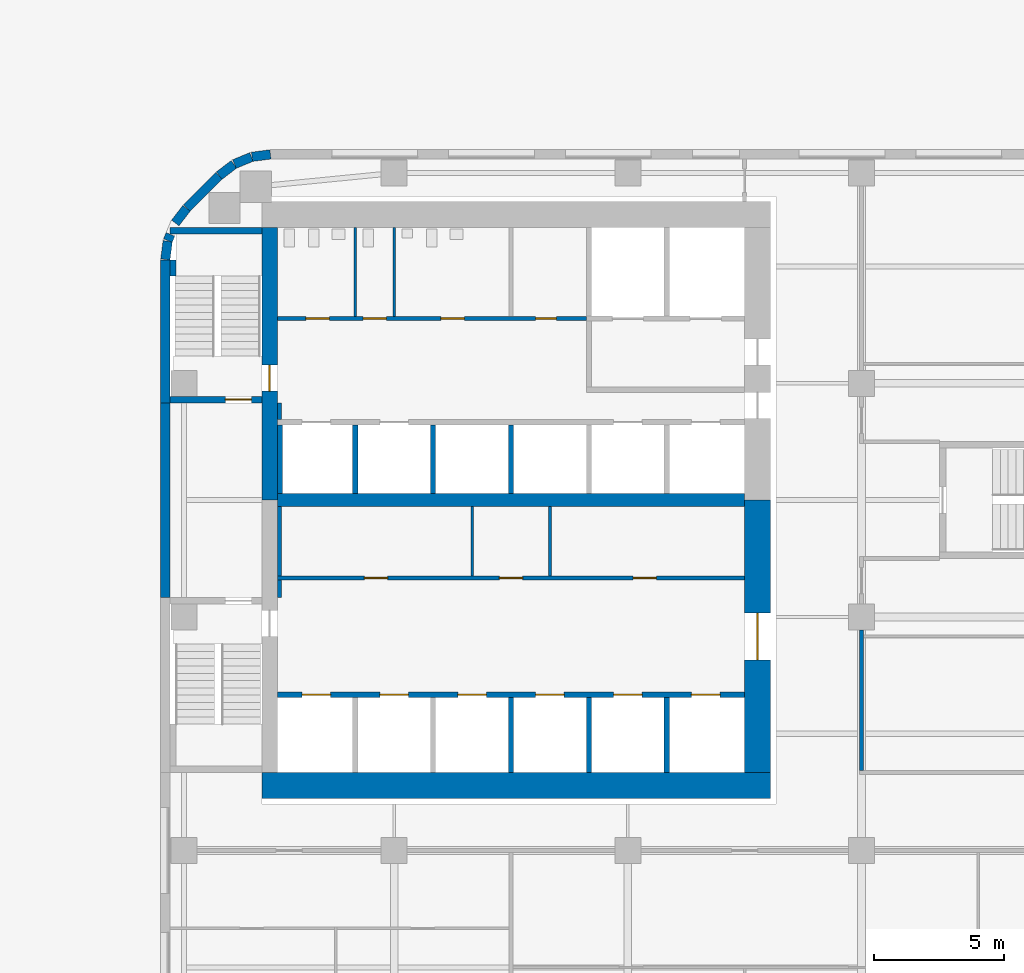
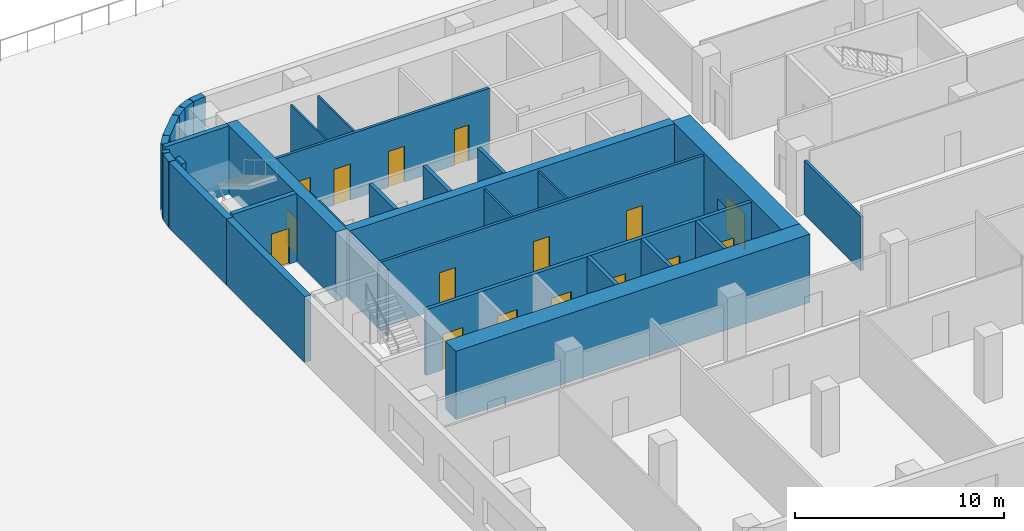
# One storey, part 10 of 18: 34 walls, 16 doors, 16 openings.
"""IFC4 building model written with IfcOpenShell, lengths in metres."""

from ifc_helpers import new_model, si_unit, direction, frame, frame_2d, origin, place, context, subcontext, project, spatial, rectangle, extrude, material, layer, layer_set, type_object, element, fill, save


model = new_model("IFC4")

# Units and contexts
model_context = context("Model", 3, precision=1e-05, world=origin(), true_north=direction((0.0, 1.0)))
body_context = subcontext(model_context, "Body", "Model", "MODEL_VIEW")
ifc_project = project(units=[si_unit("LENGTHUNIT", "METRE"), si_unit("AREAUNIT", "SQUARE_METRE"), si_unit("VOLUMEUNIT", "CUBIC_METRE"), si_unit("PLANEANGLEUNIT", "RADIAN"), si_unit("MASSUNIT", "GRAM", prefix="KILO")], contexts=[model_context])

# Site, building, storey
site_placement = place(None, origin())
site = spatial("IfcSite", under=ifc_project, at=site_placement, CompositionType="ELEMENT")
building_placement = place(site_placement, origin())
building = spatial("IfcBuilding", under=site, at=building_placement, Name="Cinnabar Reach Civic Tower", CompositionType="ELEMENT")
storey_placement = place(building_placement, frame((0.0, 0.0, 26.0)))
storey = spatial("IfcBuildingStorey", under=building, at=storey_placement, Name="L05", CompositionType="ELEMENT", Elevation=26.0)

# Walls
ifc_material_1 = material(Name="Facing brick with insulated backing", Category="masonry")
ifc_layer_1 = layer(ifc_material_1, 0.36)
ifc_layer_set_1 = layer_set([ifc_layer_1], Name="Brick corner wall")
wall_type_1 = type_object("IfcWallType", Name="Brick corner wall", PredefinedType="STANDARD", material=ifc_layer_set_1)
for number, where, z_axis, x_axis, name in (
    (1, (4.2314, 44.817, 0.0), (0.0, 0.0, 1.0), (-0.99144092581, -0.13055608231, 0.0), "Brick corner wall"),
    (2, (3.5027, 44.7181, 0.0), (0.0, 0.0, 1.0), (-0.923871547278, -0.382702709855, 0.0), "Brick corner wall"),
):
    element("IfcWall", number, at=place(storey_placement, frame(where, z_axis=z_axis, x_axis=x_axis)), inside=storey, type_object=wall_type_1, Name=name, PredefinedType="STANDARD", context=body_context, shape_type="SweptSolid", body=[
        extrude(rectangle(XDim=0.7131, YDim=0.36, at=frame_2d((0.3565, 0.0))), origin(), (0.0, 0.0, 1.0), 3.85),
    ])
for number, where, z_axis, x_axis, name in (
    (3, (2.8245, 44.434, 0.0), (0.0, 0.0, 1.0), (-0.793321924995, -0.608802368033, 0.0), "Brick corner wall"),
    (4, (1.0002, 42.7413, 0.0), (0.0, 0.0, 1.0), (-0.608802368033, -0.793321924995, 0.0), "Brick corner wall"),
):
    element("IfcWall", number, at=place(storey_placement, frame(where, z_axis=z_axis, x_axis=x_axis)), inside=storey, type_object=wall_type_1, Name=name, PredefinedType="STANDARD", context=body_context, shape_type="SweptSolid", body=[
        extrude(rectangle(XDim=0.7132, YDim=0.36, at=frame_2d((0.3566, 0.0))), origin(), (0.0, 0.0, 1.0), 3.85),
    ])
wall_1_placement = place(storey_placement, frame((0.3808, 41.736, 0.0), z_axis=(0.0, 0.0, 1.0), x_axis=(-0.382773360986, -0.923842277729, 0.0)))
element("IfcWall", 5, at=wall_1_placement, inside=storey, type_object=wall_type_1, Name="Brick corner wall", PredefinedType="STANDARD", context=body_context, shape_type="SweptSolid", body=[
    extrude(rectangle(XDim=0.2584, YDim=0.36, at=frame_2d((0.1292, 0.0))), origin(), (0.0, 0.0, 1.0), 3.85),
])
wall_2_placement = place(storey_placement, frame((0.2761, 41.4756, 0.0), z_axis=(0.0, 0.0, 1.0), x_axis=(-0.13055608231, -0.99144092581, 0.0)))
element("IfcWall", 6, at=wall_2_placement, inside=storey, type_object=wall_type_1, Name="Brick corner wall", PredefinedType="STANDARD", context=body_context, shape_type="SweptSolid", body=[
    extrude(rectangle(XDim=0.7131, YDim=0.36, at=frame_2d((0.3565, 0.0))), origin(), (0.0, 0.0, 1.0), 3.85),
])
ifc_layer_2 = layer(ifc_material_1, 0.36)
ifc_layer_set_2 = layer_set([ifc_layer_2], Name="Brick pier and spandrel wall")
wall_type_2 = type_object("IfcWallType", Name="Brick pier and spandrel wall", PredefinedType="STANDARD", material=ifc_layer_set_2)
wall_3_placement = place(storey_placement, frame((2.2486, 43.994, 0.0), z_axis=(0.0, 0.0, 1.0), x_axis=(-0.707106781187, -0.707106781187, 0.0)))
element("IfcWall", 7, at=wall_3_placement, inside=storey, type_object=wall_type_2, Name="Brick facade wall", PredefinedType="STANDARD", context=body_context, shape_type="SweptSolid", body=[
    extrude(rectangle(XDim=1.7573, YDim=0.36, at=frame_2d((0.8787, 0.0))), origin(), (0.0, 0.0, 1.0), 3.85),
])
wall_4_placement = place(storey_placement, frame((0.18, 40.7574, 0.0), z_axis=(0.0, 0.0, 1.0), x_axis=(0.0, -1.0, 0.0)))
element("IfcWall", 8, at=wall_4_placement, inside=storey, type_object=wall_type_2, Name="Brick facade wall", PredefinedType="STANDARD", context=body_context, shape_type="SweptSolid", body=[
    extrude(rectangle(XDim=5.5074, YDim=0.36, at=frame_2d((2.7537, 0.0))), origin(), (0.0, 0.0, 1.0), 3.85),
])
wall_5_placement = place(storey_placement, frame((0.18, 35.25, 0.0), z_axis=(0.0, 0.0, 1.0), x_axis=(0.0, -1.0, 0.0)))
element("IfcWall", 9, at=wall_5_placement, inside=storey, type_object=wall_type_2, Name="Brick facade wall", PredefinedType="STANDARD", context=body_context, shape_type="SweptSolid", body=[
    extrude(rectangle(XDim=7.5, YDim=0.36, at=frame_2d((3.75, 0.0))), origin(), (0.0, 0.0, 1.0), 3.85),
])
ifc_material_2 = material(Name="Concrete C70", Category="concrete")
ifc_layer_3 = layer(ifc_material_2, 1.0)
ifc_layer_set_3 = layer_set([ifc_layer_3], Name="Core wall 1000 EI 180")
wall_type_3 = type_object("IfcWallType", Name="Core wall 1000 EI 180", PredefinedType="SOLIDWALL", material=ifc_layer_set_3)
wall_6_placement = place(storey_placement, frame((3.9, 20.5, 0.0), z_axis=(0.0, 0.0, 1.0), x_axis=(1.0, 0.0, 0.0)))
element("IfcWall", 10, at=wall_6_placement, inside=storey, type_object=wall_type_3, Name="Core wall T1 L05 S", PredefinedType="SOLIDWALL", context=body_context, shape_type="SweptSolid", body=[
    extrude(rectangle(XDim=19.6, YDim=1.0, at=frame_2d((9.8, 0.0))), origin(), (0.0, 0.0, 1.0), 4.0),
])

# Wall, opening, door
wall_7_placement = place(storey_placement, frame((23.0, 21.0, 0.0), z_axis=(0.0, 0.0, 1.0), x_axis=(0.0, 1.0, 0.0)))
wall_7 = element("IfcWall", 11, at=wall_7_placement, inside=storey, type_object=wall_type_3, Name="Core wall T1 L05 E", PredefinedType="SOLIDWALL", context=body_context, shape_type="SweptSolid", body=[
    extrude(rectangle(XDim=10.5, YDim=1.0, at=frame_2d((5.25, 0.0))), origin(), (0.0, 0.0, 1.0), 4.0),
])
opening_1_placement = place(wall_7_placement, frame((4.35, 0.0, 0.0)))
opening_1 = element("IfcOpeningElement", 12, at=opening_1_placement, cuts=wall_7, Name="Opening D3206", PredefinedType="OPENING", context=body_context, shape_type="SweptSolid", body=[
    extrude(rectangle(XDim=1.8, YDim=2.1, at=frame_2d((0.9, 1.05))), frame((0.0, 0.51, 0.0), z_axis=(0.0, -1.0, 0.0), x_axis=(1.0, 0.0, 0.0)), (0.0, 0.0, 1.0), 1.02),
])
ifc_material_3 = material(Name="Timber door leaf in steel frame", Category="steel")
door_type_1 = type_object("IfcDoorType", Name="Double swing door 1800 x 2100 T1", OperationType="DOUBLE_DOOR_DOUBLE_SWING", PredefinedType="DOOR", material=ifc_material_3)
door_1_placement = place(opening_1_placement, origin())
door_1 = element("IfcDoor", 13, at=door_1_placement, inside=storey, type_object=door_type_1, Name="Door D3206", OperationType="DOUBLE_DOOR_DOUBLE_SWING", OverallHeight=2.1, OverallWidth=1.8, PredefinedType="DOOR", context=body_context, shape_type="SweptSolid", body=[
    extrude(rectangle(XDim=1.8, YDim=2.1, at=frame_2d((0.9, 1.05))), frame((0.0, 0.025, 0.0), z_axis=(0.0, -1.0, 0.0), x_axis=(1.0, 0.0, 0.0)), (0.0, 0.0, 1.0), 0.05),
])
fill(opening_1, door_1)

# Wall
ifc_material_4 = material(Name="Concrete C60", Category="concrete")
ifc_layer_4 = layer(ifc_material_4, 0.5)
ifc_layer_set_4 = layer_set([ifc_layer_4], Name="Core wall 500 EI 180")
wall_type_4 = type_object("IfcWallType", Name="Core wall 500 EI 180", PredefinedType="SOLIDWALL", material=ifc_layer_set_4)
wall_8_placement = place(storey_placement, frame((4.5, 31.5, 0.0), z_axis=(0.0, 0.0, 1.0), x_axis=(1.0, 0.0, 0.0)))
element("IfcWall", 14, at=wall_8_placement, inside=storey, type_object=wall_type_4, Name="Core spine wall T1 L05", PredefinedType="SOLIDWALL", context=body_context, shape_type="SweptSolid", body=[
    extrude(rectangle(XDim=18.0, YDim=0.5, at=frame_2d((9.0, 0.0))), origin(), (0.0, 0.0, 1.0), 4.0),
])

# Wall, opening, door
ifc_layer_5 = layer(ifc_material_2, 0.6)
ifc_layer_set_5 = layer_set([ifc_layer_5], Name="Core wall 600 EI 180")
wall_type_5 = type_object("IfcWallType", Name="Core wall 600 EI 180", PredefinedType="SOLIDWALL", material=ifc_layer_set_5)
wall_9_placement = place(storey_placement, frame((4.2, 42.0, 0.0), z_axis=(0.0, 0.0, 1.0), x_axis=(0.0, -1.0, 0.0)))
wall_9 = element("IfcWall", 15, at=wall_9_placement, inside=storey, type_object=wall_type_5, Name="Core wall T1 L05 W", PredefinedType="SOLIDWALL", context=body_context, shape_type="SweptSolid", body=[
    extrude(rectangle(XDim=10.5, YDim=0.6, at=frame_2d((5.25, 0.0))), origin(), (0.0, 0.0, 1.0), 4.0),
])
opening_2_placement = place(wall_9_placement, frame((5.3, 0.0, 0.0)))
opening_2 = element("IfcOpeningElement", 16, at=opening_2_placement, cuts=wall_9, Name="Opening D3192", PredefinedType="OPENING", context=body_context, shape_type="SweptSolid", body=[
    extrude(rectangle(XDim=1.0, YDim=2.1, at=frame_2d((0.5, 1.05))), frame((0.0, 0.31, 0.0), z_axis=(0.0, -1.0, 0.0), x_axis=(1.0, 0.0, 0.0)), (0.0, 0.0, 1.0), 0.62),
])
door_type_2 = type_object("IfcDoorType", Name="Stair door 1000 x 2100 T1", OperationType="SINGLE_SWING_LEFT", PredefinedType="DOOR", material=ifc_material_3)
door_2_placement = place(opening_2_placement, frame((1.0, 0.0, 0.0), z_axis=(0.0, 0.0, 1.0), x_axis=(-1.0, 0.0, 0.0)))
door_2 = element("IfcDoor", 17, at=door_2_placement, inside=storey, type_object=door_type_2, Name="Door D3192", OperationType="SINGLE_SWING_LEFT", OverallHeight=2.1, OverallWidth=1.0, PredefinedType="DOOR", context=body_context, shape_type="SweptSolid", body=[
    extrude(rectangle(XDim=1.0, YDim=2.1, at=frame_2d((0.5, 1.05))), frame((0.0, 0.025, 0.0), z_axis=(0.0, -1.0, 0.0), x_axis=(1.0, 0.0, 0.0)), (0.0, 0.0, 1.0), 0.05),
])
fill(opening_2, door_2)

# Wall, openings, doors
ifc_material_5 = material(Name="Gypsum board on steel studs, double layer", Category="steel")
ifc_layer_6 = layer(ifc_material_5, 0.15)
ifc_layer_set_6 = layer_set([ifc_layer_6], Name="Corridor wall 150 T1")
wall_type_6 = type_object("IfcWallType", Name="Corridor wall 150 T1", PredefinedType="PARTITIONING", material=ifc_layer_set_6)
wall_10_placement = place(storey_placement, frame((4.5, 28.5, 0.0), z_axis=(0.0, 0.0, 1.0), x_axis=(1.0, 0.0, 0.0)))
wall_10 = element("IfcWall", 18, at=wall_10_placement, inside=storey, type_object=wall_type_6, Name="Corridor wall 27", PredefinedType="PARTITIONING", context=body_context, shape_type="SweptSolid", body=[
    extrude(rectangle(XDim=18.0, YDim=0.15, at=frame_2d((9.0, 0.0))), origin(), (0.0, 0.0, 1.0), 3.85),
])
opening_3_placement = place(wall_10_placement, frame((3.35, 0.0, 0.0)))
opening_3 = element("IfcOpeningElement", 19, at=opening_3_placement, cuts=wall_10, Name="Opening D3210", PredefinedType="OPENING", context=body_context, shape_type="SweptSolid", body=[
    extrude(rectangle(XDim=0.9, YDim=2.1, at=frame_2d((0.45, 1.05))), frame((0.0, 0.085, 0.0), z_axis=(0.0, -1.0, 0.0), x_axis=(1.0, 0.0, 0.0)), (0.0, 0.0, 1.0), 0.17),
])
opening_4_placement = place(wall_10_placement, frame((8.55, 0.0, 0.0)))
opening_4 = element("IfcOpeningElement", 20, at=opening_4_placement, cuts=wall_10, Name="Opening D3211", PredefinedType="OPENING", context=body_context, shape_type="SweptSolid", body=[
    extrude(rectangle(XDim=0.9, YDim=2.1, at=frame_2d((0.45, 1.05))), frame((0.0, 0.085, 0.0), z_axis=(0.0, -1.0, 0.0), x_axis=(1.0, 0.0, 0.0)), (0.0, 0.0, 1.0), 0.17),
])
opening_5_placement = place(wall_10_placement, frame((13.7, 0.0, 0.0)))
opening_5 = element("IfcOpeningElement", 21, at=opening_5_placement, cuts=wall_10, Name="Opening D3212", PredefinedType="OPENING", context=body_context, shape_type="SweptSolid", body=[
    extrude(rectangle(XDim=0.9, YDim=2.1, at=frame_2d((0.45, 1.05))), frame((0.0, 0.085, 0.0), z_axis=(0.0, -1.0, 0.0), x_axis=(1.0, 0.0, 0.0)), (0.0, 0.0, 1.0), 0.17),
])
door_type_3 = type_object("IfcDoorType", Name="Single swing door 900 x 2100 corridor T1", OperationType="SINGLE_SWING_LEFT", PredefinedType="DOOR", material=ifc_material_3)
door_3_placement = place(opening_3_placement, origin())
door_3 = element("IfcDoor", 22, at=door_3_placement, inside=storey, type_object=door_type_3, Name="Door D3210", OperationType="SINGLE_SWING_RIGHT", OverallHeight=2.1, OverallWidth=0.9, PredefinedType="DOOR", context=body_context, shape_type="SweptSolid", body=[
    extrude(rectangle(XDim=0.9, YDim=2.1, at=frame_2d((0.45, 1.05))), frame((0.0, 0.025, 0.0), z_axis=(0.0, -1.0, 0.0), x_axis=(1.0, 0.0, 0.0)), (0.0, 0.0, 1.0), 0.05),
])
fill(opening_3, door_3)
door_4_placement = place(opening_4_placement, origin())
door_4 = element("IfcDoor", 23, at=door_4_placement, inside=storey, type_object=door_type_3, Name="Door D3211", OperationType="SINGLE_SWING_RIGHT", OverallHeight=2.1, OverallWidth=0.9, PredefinedType="DOOR", context=body_context, shape_type="SweptSolid", body=[
    extrude(rectangle(XDim=0.9, YDim=2.1, at=frame_2d((0.45, 1.05))), frame((0.0, 0.025, 0.0), z_axis=(0.0, -1.0, 0.0), x_axis=(1.0, 0.0, 0.0)), (0.0, 0.0, 1.0), 0.05),
])
fill(opening_4, door_4)
door_5_placement = place(opening_5_placement, origin())
door_5 = element("IfcDoor", 24, at=door_5_placement, inside=storey, type_object=door_type_3, Name="Door D3212", OperationType="SINGLE_SWING_RIGHT", OverallHeight=2.1, OverallWidth=0.9, PredefinedType="DOOR", context=body_context, shape_type="SweptSolid", body=[
    extrude(rectangle(XDim=0.9, YDim=2.1, at=frame_2d((0.45, 1.05))), frame((0.0, 0.025, 0.0), z_axis=(0.0, -1.0, 0.0), x_axis=(1.0, 0.0, 0.0)), (0.0, 0.0, 1.0), 0.05),
])
fill(opening_5, door_5)

wall_11_placement = place(storey_placement, frame((4.5, 38.5, 0.0), z_axis=(0.0, 0.0, 1.0), x_axis=(1.0, 0.0, 0.0)))
wall_11 = element("IfcWall", 25, at=wall_11_placement, inside=storey, type_object=wall_type_6, Name="Corridor wall 28", PredefinedType="PARTITIONING", context=body_context, shape_type="SweptSolid", body=[
    extrude(rectangle(XDim=11.9, YDim=0.15, at=frame_2d((5.95, 0.0))), origin(), (0.0, 0.0, 1.0), 3.85),
])
opening_6_placement = place(wall_11_placement, frame((1.1, 0.0, 0.0)))
opening_6 = element("IfcOpeningElement", 26, at=opening_6_placement, cuts=wall_11, Name="Opening D3213", PredefinedType="OPENING", context=body_context, shape_type="SweptSolid", body=[
    extrude(rectangle(XDim=0.9, YDim=2.1, at=frame_2d((0.45, 1.05))), frame((0.0, 0.085, 0.0), z_axis=(0.0, -1.0, 0.0), x_axis=(1.0, 0.0, 0.0)), (0.0, 0.0, 1.0), 0.17),
])
opening_7_placement = place(wall_11_placement, frame((3.3, 0.0, 0.0)))
opening_7 = element("IfcOpeningElement", 27, at=opening_7_placement, cuts=wall_11, Name="Opening D3214", PredefinedType="OPENING", context=body_context, shape_type="SweptSolid", body=[
    extrude(rectangle(XDim=0.9, YDim=2.1, at=frame_2d((0.45, 1.05))), frame((0.0, 0.085, 0.0), z_axis=(0.0, -1.0, 0.0), x_axis=(1.0, 0.0, 0.0)), (0.0, 0.0, 1.0), 0.17),
])
opening_8_placement = place(wall_11_placement, frame((6.3, 0.0, 0.0)))
opening_8 = element("IfcOpeningElement", 28, at=opening_8_placement, cuts=wall_11, Name="Opening D3215", PredefinedType="OPENING", context=body_context, shape_type="SweptSolid", body=[
    extrude(rectangle(XDim=0.9, YDim=2.1, at=frame_2d((0.45, 1.05))), frame((0.0, 0.085, 0.0), z_axis=(0.0, -1.0, 0.0), x_axis=(1.0, 0.0, 0.0)), (0.0, 0.0, 1.0), 0.17),
])
opening_9_placement = place(wall_11_placement, frame((9.95, 0.0, 0.0)))
opening_9 = element("IfcOpeningElement", 29, at=opening_9_placement, cuts=wall_11, Name="Opening D3216", PredefinedType="OPENING", context=body_context, shape_type="SweptSolid", body=[
    extrude(rectangle(XDim=0.8, YDim=2.1, at=frame_2d((0.4, 1.05))), frame((0.0, 0.085, 0.0), z_axis=(0.0, -1.0, 0.0), x_axis=(1.0, 0.0, 0.0)), (0.0, 0.0, 1.0), 0.17),
])
door_type_4 = type_object("IfcDoorType", Name="Riser access door 800 x 2100 T1", OperationType="SINGLE_SWING_LEFT", PredefinedType="DOOR", material=ifc_material_3)
door_6_placement = place(opening_9_placement, origin())
door_6 = element("IfcDoor", 30, at=door_6_placement, inside=storey, type_object=door_type_4, Name="Door D3216", OperationType="SINGLE_SWING_RIGHT", OverallHeight=2.1, OverallWidth=0.8, PredefinedType="DOOR", context=body_context, shape_type="SweptSolid", body=[
    extrude(rectangle(XDim=0.8, YDim=2.1, at=frame_2d((0.4, 1.05))), frame((0.0, 0.025, 0.0), z_axis=(0.0, -1.0, 0.0), x_axis=(1.0, 0.0, 0.0)), (0.0, 0.0, 1.0), 0.05),
])
fill(opening_9, door_6)
door_7_placement = place(opening_6_placement, origin())
door_7 = element("IfcDoor", 31, at=door_7_placement, inside=storey, type_object=door_type_3, Name="Door D3213", OperationType="SINGLE_SWING_RIGHT", OverallHeight=2.1, OverallWidth=0.9, PredefinedType="DOOR", context=body_context, shape_type="SweptSolid", body=[
    extrude(rectangle(XDim=0.9, YDim=2.1, at=frame_2d((0.45, 1.05))), frame((0.0, 0.025, 0.0), z_axis=(0.0, -1.0, 0.0), x_axis=(1.0, 0.0, 0.0)), (0.0, 0.0, 1.0), 0.05),
])
fill(opening_6, door_7)
door_8_placement = place(opening_7_placement, origin())
door_8 = element("IfcDoor", 32, at=door_8_placement, inside=storey, type_object=door_type_3, Name="Door D3214", OperationType="SINGLE_SWING_RIGHT", OverallHeight=2.1, OverallWidth=0.9, PredefinedType="DOOR", context=body_context, shape_type="SweptSolid", body=[
    extrude(rectangle(XDim=0.9, YDim=2.1, at=frame_2d((0.45, 1.05))), frame((0.0, 0.025, 0.0), z_axis=(0.0, -1.0, 0.0), x_axis=(1.0, 0.0, 0.0)), (0.0, 0.0, 1.0), 0.05),
])
fill(opening_7, door_8)
door_9_placement = place(opening_8_placement, origin())
door_9 = element("IfcDoor", 33, at=door_9_placement, inside=storey, type_object=door_type_3, Name="Door D3215", OperationType="SINGLE_SWING_LEFT", OverallHeight=2.1, OverallWidth=0.9, PredefinedType="DOOR", context=body_context, shape_type="SweptSolid", body=[
    extrude(rectangle(XDim=0.9, YDim=2.1, at=frame_2d((0.45, 1.05))), frame((0.0, 0.025, 0.0), z_axis=(0.0, -1.0, 0.0), x_axis=(1.0, 0.0, 0.0)), (0.0, 0.0, 1.0), 0.05),
])
fill(opening_8, door_9)

# Walls
wall_12_placement = place(storey_placement, frame((27.0, 21.075, 0.0), z_axis=(0.0, 0.0, 1.0), x_axis=(0.0, 1.0, 0.0)))
element("IfcWall", 34, at=wall_12_placement, inside=storey, type_object=wall_type_6, Name="Corridor wall 31", PredefinedType="PARTITIONING", context=body_context, shape_type="SweptSolid", body=[
    extrude(rectangle(XDim=5.425, YDim=0.15, at=frame_2d((2.7125, 0.0))), origin(), (0.0, 0.0, 1.0), 3.158),
])
wall_13_placement = place(storey_placement, frame((4.575, 27.75, 0.0), z_axis=(0.0, 0.0, 1.0), x_axis=(0.0, 1.0, 0.0)))
element("IfcWall", 35, at=wall_13_placement, inside=storey, type_object=wall_type_6, Name="Corridor wall 33", PredefinedType="PARTITIONING", context=body_context, shape_type="SweptSolid", body=[
    extrude(rectangle(XDim=0.675, YDim=0.15, at=frame_2d((0.3375, 0.0))), origin(), (0.0, 0.0, 1.0), 3.85),
])
wall_14_placement = place(storey_placement, frame((4.575, 28.575, 0.0), z_axis=(0.0, 0.0, 1.0), x_axis=(0.0, 1.0, 0.0)))
element("IfcWall", 36, at=wall_14_placement, inside=storey, type_object=wall_type_6, Name="Corridor wall 34", PredefinedType="PARTITIONING", context=body_context, shape_type="SweptSolid", body=[
    extrude(rectangle(XDim=2.675, YDim=0.15, at=frame_2d((1.3375, 0.0))), origin(), (0.0, 0.0, 1.0), 3.85),
])
wall_15_placement = place(storey_placement, frame((4.575, 34.6, 0.0), z_axis=(0.0, 0.0, 1.0), x_axis=(0.0, 1.0, 0.0)))
element("IfcWall", 37, at=wall_15_placement, inside=storey, type_object=wall_type_6, Name="Corridor wall 38", PredefinedType="PARTITIONING", context=body_context, shape_type="SweptSolid", body=[
    extrude(rectangle(XDim=0.65, YDim=0.15, at=frame_2d((0.325, 0.0))), origin(), (0.0, 0.0, 1.0), 3.85),
])

# Wall, openings, doors
ifc_material_6 = material(Name="Blockwork", Category="masonry")
ifc_layer_7 = layer(ifc_material_6, 0.2)
ifc_layer_set_7 = layer_set([ifc_layer_7], Name="Lift shaft wall 200 T1")
wall_type_7 = type_object("IfcWallType", Name="Lift shaft wall 200 T1", PredefinedType="PARTITIONING", material=ifc_layer_set_7)
wall_16_placement = place(storey_placement, frame((4.5, 24.0, 0.0), z_axis=(0.0, 0.0, 1.0), x_axis=(1.0, 0.0, 0.0)))
wall_16 = element("IfcWall", 38, at=wall_16_placement, inside=storey, type_object=wall_type_7, Name="Lift shaft wall 4", PredefinedType="PARTITIONING", context=body_context, shape_type="SweptSolid", body=[
    extrude(rectangle(XDim=18.0, YDim=0.2, at=frame_2d((9.0, 0.0))), origin(), (0.0, 0.0, 1.0), 3.85),
])
opening_10_placement = place(wall_16_placement, frame((0.95, 0.0, 0.0)))
opening_10 = element("IfcOpeningElement", 39, at=opening_10_placement, cuts=wall_16, Name="Opening D3194", PredefinedType="OPENING", context=body_context, shape_type="SweptSolid", body=[
    extrude(rectangle(XDim=1.1, YDim=2.1, at=frame_2d((0.55, 1.05))), frame((0.0, 0.11, 0.0), z_axis=(0.0, -1.0, 0.0), x_axis=(1.0, 0.0, 0.0)), (0.0, 0.0, 1.0), 0.22),
])
opening_11_placement = place(wall_16_placement, frame((3.95, 0.0, 0.0)))
opening_11 = element("IfcOpeningElement", 40, at=opening_11_placement, cuts=wall_16, Name="Opening D3195", PredefinedType="OPENING", context=body_context, shape_type="SweptSolid", body=[
    extrude(rectangle(XDim=1.1, YDim=2.1, at=frame_2d((0.55, 1.05))), frame((0.0, 0.11, 0.0), z_axis=(0.0, -1.0, 0.0), x_axis=(1.0, 0.0, 0.0)), (0.0, 0.0, 1.0), 0.22),
])
opening_12_placement = place(wall_16_placement, frame((6.95, 0.0, 0.0)))
opening_12 = element("IfcOpeningElement", 41, at=opening_12_placement, cuts=wall_16, Name="Opening D3196", PredefinedType="OPENING", context=body_context, shape_type="SweptSolid", body=[
    extrude(rectangle(XDim=1.1, YDim=2.1, at=frame_2d((0.55, 1.05))), frame((0.0, 0.11, 0.0), z_axis=(0.0, -1.0, 0.0), x_axis=(1.0, 0.0, 0.0)), (0.0, 0.0, 1.0), 0.22),
])
opening_13_placement = place(wall_16_placement, frame((9.95, 0.0, 0.0)))
opening_13 = element("IfcOpeningElement", 42, at=opening_13_placement, cuts=wall_16, Name="Opening D3197", PredefinedType="OPENING", context=body_context, shape_type="SweptSolid", body=[
    extrude(rectangle(XDim=1.1, YDim=2.1, at=frame_2d((0.55, 1.05))), frame((0.0, 0.11, 0.0), z_axis=(0.0, -1.0, 0.0), x_axis=(1.0, 0.0, 0.0)), (0.0, 0.0, 1.0), 0.22),
])
opening_14_placement = place(wall_16_placement, frame((12.95, 0.0, 0.0)))
opening_14 = element("IfcOpeningElement", 43, at=opening_14_placement, cuts=wall_16, Name="Opening D3198", PredefinedType="OPENING", context=body_context, shape_type="SweptSolid", body=[
    extrude(rectangle(XDim=1.1, YDim=2.1, at=frame_2d((0.55, 1.05))), frame((0.0, 0.11, 0.0), z_axis=(0.0, -1.0, 0.0), x_axis=(1.0, 0.0, 0.0)), (0.0, 0.0, 1.0), 0.22),
])
opening_15_placement = place(wall_16_placement, frame((15.95, 0.0, 0.0)))
opening_15 = element("IfcOpeningElement", 44, at=opening_15_placement, cuts=wall_16, Name="Opening D3199", PredefinedType="OPENING", context=body_context, shape_type="SweptSolid", body=[
    extrude(rectangle(XDim=1.1, YDim=2.1, at=frame_2d((0.55, 1.05))), frame((0.0, 0.11, 0.0), z_axis=(0.0, -1.0, 0.0), x_axis=(1.0, 0.0, 0.0)), (0.0, 0.0, 1.0), 0.22),
])
ifc_material_7 = material(Name="Stainless steel sliding door", Category="steel")
door_type_5 = type_object("IfcDoorType", Name="Lift landing door 1100 x 2100 T1", OperationType="SLIDING_TO_LEFT", PredefinedType="DOOR", material=ifc_material_7)
door_10_placement = place(opening_10_placement, origin())
door_10 = element("IfcDoor", 45, at=door_10_placement, inside=storey, type_object=door_type_5, Name="Lift landing door LR1 L05", OperationType="SLIDING_TO_LEFT", OverallHeight=2.1, OverallWidth=1.1, PredefinedType="DOOR", context=body_context, shape_type="SweptSolid", body=[
    extrude(rectangle(XDim=1.1, YDim=2.1, at=frame_2d((0.55, 1.05))), frame((0.0, 0.025, 0.0), z_axis=(0.0, -1.0, 0.0), x_axis=(1.0, 0.0, 0.0)), (0.0, 0.0, 1.0), 0.05),
])
fill(opening_10, door_10)
door_11_placement = place(opening_11_placement, origin())
door_11 = element("IfcDoor", 46, at=door_11_placement, inside=storey, type_object=door_type_5, Name="Lift landing door LR2 L05", OperationType="SLIDING_TO_LEFT", OverallHeight=2.1, OverallWidth=1.1, PredefinedType="DOOR", context=body_context, shape_type="SweptSolid", body=[
    extrude(rectangle(XDim=1.1, YDim=2.1, at=frame_2d((0.55, 1.05))), frame((0.0, 0.025, 0.0), z_axis=(0.0, -1.0, 0.0), x_axis=(1.0, 0.0, 0.0)), (0.0, 0.0, 1.0), 0.05),
])
fill(opening_11, door_11)
door_12_placement = place(opening_12_placement, origin())
door_12 = element("IfcDoor", 47, at=door_12_placement, inside=storey, type_object=door_type_5, Name="Lift landing door LR3 L05", OperationType="SLIDING_TO_LEFT", OverallHeight=2.1, OverallWidth=1.1, PredefinedType="DOOR", context=body_context, shape_type="SweptSolid", body=[
    extrude(rectangle(XDim=1.1, YDim=2.1, at=frame_2d((0.55, 1.05))), frame((0.0, 0.025, 0.0), z_axis=(0.0, -1.0, 0.0), x_axis=(1.0, 0.0, 0.0)), (0.0, 0.0, 1.0), 0.05),
])
fill(opening_12, door_12)
door_13_placement = place(opening_13_placement, origin())
door_13 = element("IfcDoor", 48, at=door_13_placement, inside=storey, type_object=door_type_5, Name="Lift landing door LR4 L05", OperationType="SLIDING_TO_LEFT", OverallHeight=2.1, OverallWidth=1.1, PredefinedType="DOOR", context=body_context, shape_type="SweptSolid", body=[
    extrude(rectangle(XDim=1.1, YDim=2.1, at=frame_2d((0.55, 1.05))), frame((0.0, 0.025, 0.0), z_axis=(0.0, -1.0, 0.0), x_axis=(1.0, 0.0, 0.0)), (0.0, 0.0, 1.0), 0.05),
])
fill(opening_13, door_13)
door_14_placement = place(opening_14_placement, origin())
door_14 = element("IfcDoor", 49, at=door_14_placement, inside=storey, type_object=door_type_5, Name="Lift landing door LR5 L05", OperationType="SLIDING_TO_LEFT", OverallHeight=2.1, OverallWidth=1.1, PredefinedType="DOOR", context=body_context, shape_type="SweptSolid", body=[
    extrude(rectangle(XDim=1.1, YDim=2.1, at=frame_2d((0.55, 1.05))), frame((0.0, 0.025, 0.0), z_axis=(0.0, -1.0, 0.0), x_axis=(1.0, 0.0, 0.0)), (0.0, 0.0, 1.0), 0.05),
])
fill(opening_14, door_14)
door_15_placement = place(opening_15_placement, origin())
door_15 = element("IfcDoor", 50, at=door_15_placement, inside=storey, type_object=door_type_5, Name="Lift landing door LR6 L05", OperationType="SLIDING_TO_LEFT", OverallHeight=2.1, OverallWidth=1.1, PredefinedType="DOOR", context=body_context, shape_type="SweptSolid", body=[
    extrude(rectangle(XDim=1.1, YDim=2.1, at=frame_2d((0.55, 1.05))), frame((0.0, 0.025, 0.0), z_axis=(0.0, -1.0, 0.0), x_axis=(1.0, 0.0, 0.0)), (0.0, 0.0, 1.0), 0.05),
])
fill(opening_15, door_15)

# Walls
for number, where, z_axis, x_axis, name in (
    (51, (4.6, 31.75, 0.0), (0.0, 0.0, 1.0), (0.0, 1.0, 0.0), "Lift shaft wall 8"),
    (52, (7.5, 31.75, 0.0), (0.0, 0.0, 1.0), (0.0, 1.0, 0.0), "Lift shaft wall 10"),
    (53, (10.5, 31.75, 0.0), (0.0, 0.0, 1.0), (0.0, 1.0, 0.0), "Lift shaft wall 12"),
):
    element("IfcWall", number, at=place(storey_placement, frame(where, z_axis=z_axis, x_axis=x_axis)), inside=storey, type_object=wall_type_7, Name=name, PredefinedType="PARTITIONING", context=body_context, shape_type="SweptSolid", body=[
        extrude(rectangle(XDim=2.65, YDim=0.2, at=frame_2d((1.325, 0.0))), origin(), (0.0, 0.0, 1.0), 3.85),
    ])
wall_17_placement = place(storey_placement, frame((13.5, 21.0, 0.0), z_axis=(0.0, 0.0, 1.0), x_axis=(0.0, 1.0, 0.0)))
element("IfcWall", 54, at=wall_17_placement, inside=storey, type_object=wall_type_7, Name="Lift shaft wall 13", PredefinedType="PARTITIONING", context=body_context, shape_type="SweptSolid", body=[
    extrude(rectangle(XDim=2.9, YDim=0.2, at=frame_2d((1.45, 0.0))), origin(), (0.0, 0.0, 1.0), 3.85),
])
wall_18_placement = place(storey_placement, frame((13.5, 31.75, 0.0), z_axis=(0.0, 0.0, 1.0), x_axis=(0.0, 1.0, 0.0)))
element("IfcWall", 55, at=wall_18_placement, inside=storey, type_object=wall_type_7, Name="Lift shaft wall 14", PredefinedType="PARTITIONING", context=body_context, shape_type="SweptSolid", body=[
    extrude(rectangle(XDim=2.65, YDim=0.2, at=frame_2d((1.325, 0.0))), origin(), (0.0, 0.0, 1.0), 3.85),
])
for number, where, z_axis, x_axis, name in (
    (56, (16.5, 21.0, 0.0), (0.0, 0.0, 1.0), (0.0, 1.0, 0.0), "Lift shaft wall 15"),
    (57, (19.5, 21.0, 0.0), (0.0, 0.0, 1.0), (0.0, 1.0, 0.0), "Lift shaft wall 17"),
):
    element("IfcWall", number, at=place(storey_placement, frame(where, z_axis=z_axis, x_axis=x_axis)), inside=storey, type_object=wall_type_7, Name=name, PredefinedType="PARTITIONING", context=body_context, shape_type="SweptSolid", body=[
        extrude(rectangle(XDim=2.9, YDim=0.2, at=frame_2d((1.45, 0.0))), origin(), (0.0, 0.0, 1.0), 3.85),
    ])
ifc_material_8 = material(Name="Gypsum board on steel studs", Category="steel")
ifc_layer_8 = layer(ifc_material_8, 0.1)
ifc_layer_set_8 = layer_set([ifc_layer_8], Name="Partition wall 100 T1")
wall_type_8 = type_object("IfcWallType", Name="Partition wall 100 T1", PredefinedType="PARTITIONING", material=ifc_layer_set_8)
for number, where, z_axis, x_axis, name in (
    (58, (7.5, 38.575, 0.0), (0.0, 0.0, 1.0), (0.0, 1.0, 0.0), "Partition wall 55"),
    (59, (9.0, 38.575, 0.0), (0.0, 0.0, 1.0), (0.0, 1.0, 0.0), "Partition wall 56"),
):
    element("IfcWall", number, at=place(storey_placement, frame(where, z_axis=z_axis, x_axis=x_axis)), inside=storey, type_object=wall_type_8, Name=name, PredefinedType="PARTITIONING", context=body_context, shape_type="SweptSolid", body=[
        extrude(rectangle(XDim=3.425, YDim=0.1, at=frame_2d((1.7125, 0.0))), origin(), (0.0, 0.0, 1.0), 3.85),
    ])
for number, where, z_axis, x_axis, name in (
    (60, (12.0, 28.575, 0.0), (0.0, 0.0, 1.0), (0.0, 1.0, 0.0), "Partition wall 57"),
    (61, (15.0, 28.575, 0.0), (0.0, 0.0, 1.0), (0.0, 1.0, 0.0), "Partition wall 58"),
):
    element("IfcWall", number, at=place(storey_placement, frame(where, z_axis=z_axis, x_axis=x_axis)), inside=storey, type_object=wall_type_8, Name=name, PredefinedType="PARTITIONING", context=body_context, shape_type="SweptSolid", body=[
        extrude(rectangle(XDim=2.675, YDim=0.1, at=frame_2d((1.3375, 0.0))), origin(), (0.0, 0.0, 1.0), 3.85),
    ])

# Wall, opening, door
ifc_layer_9 = layer(ifc_material_4, 0.25)
ifc_layer_set_9 = layer_set([ifc_layer_9], Name="Stair shaft wall 250 EI 120")
wall_type_9 = type_object("IfcWallType", Name="Stair shaft wall 250 EI 120", PredefinedType="SOLIDWALL", material=ifc_layer_set_9)
wall_19_placement = place(storey_placement, frame((0.36, 35.375, 0.0), z_axis=(0.0, 0.0, 1.0), x_axis=(1.0, 0.0, 0.0)))
wall_19 = element("IfcWall", 62, at=wall_19_placement, inside=storey, type_object=wall_type_9, Name="Stair shaft wall T1-S2 L05", PredefinedType="SOLIDWALL", context=body_context, shape_type="SweptSolid", body=[
    extrude(rectangle(XDim=3.54, YDim=0.25, at=frame_2d((1.77, 0.0))), origin(), (0.0, 0.0, 1.0), 4.0),
])
opening_16_placement = place(wall_19_placement, frame((2.14, 0.0, 0.0)))
opening_16 = element("IfcOpeningElement", 63, at=opening_16_placement, cuts=wall_19, Name="Opening D3193", PredefinedType="OPENING", context=body_context, shape_type="SweptSolid", body=[
    extrude(rectangle(XDim=1.0, YDim=2.1, at=frame_2d((0.5, 1.05))), frame((0.0, 0.135, 0.0), z_axis=(0.0, -1.0, 0.0), x_axis=(1.0, 0.0, 0.0)), (0.0, 0.0, 1.0), 0.27),
])
door_16_placement = place(opening_16_placement, origin())
door_16 = element("IfcDoor", 64, at=door_16_placement, inside=storey, type_object=door_type_2, Name="Door D3193", OperationType="SINGLE_SWING_RIGHT", OverallHeight=2.1, OverallWidth=1.0, PredefinedType="DOOR", context=body_context, shape_type="SweptSolid", body=[
    extrude(rectangle(XDim=1.0, YDim=2.1, at=frame_2d((0.5, 1.05))), frame((0.0, 0.025, 0.0), z_axis=(0.0, -1.0, 0.0), x_axis=(1.0, 0.0, 0.0)), (0.0, 0.0, 1.0), 0.05),
])
fill(opening_16, door_16)

# Walls
wall_20_placement = place(storey_placement, frame((3.9, 41.875, 0.0), z_axis=(0.0, 0.0, 1.0), x_axis=(-1.0, 0.0, 0.0)))
element("IfcWall", 65, at=wall_20_placement, inside=storey, type_object=wall_type_9, Name="Stair shaft wall T1-S2 L05", PredefinedType="SOLIDWALL", context=body_context, shape_type="SweptSolid", body=[
    extrude(rectangle(XDim=3.54, YDim=0.25, at=frame_2d((1.77, 0.0))), origin(), (0.0, 0.0, 1.0), 4.0),
])
ifc_material_9 = material(Name="Concrete C40/50", Category="concrete")
ifc_layer_10 = layer(ifc_material_9, 0.24)
ifc_layer_set_10 = layer_set([ifc_layer_10], Name="T1 landing bearer wall 240")
wall_type_10 = type_object("IfcWallType", Name="T1 landing bearer wall 240", PredefinedType="STANDARD", material=ifc_layer_set_10)
wall_21_placement = place(storey_placement, frame((0.48, 40.13, 0.0), z_axis=(0.0, 0.0, 1.0), x_axis=(0.0, 1.0, 0.0)))
element("IfcWall", 66, at=wall_21_placement, inside=storey, type_object=wall_type_10, Name="T1-S2 landing bearer wall", PredefinedType="STANDARD", context=body_context, shape_type="SweptSolid", body=[
    extrude(rectangle(XDim=0.6151, YDim=0.24, at=frame_2d((0.3075, 0.0))), origin(), (0.0, 0.0, 1.0), 4.0),
])

save(model, "model.ifc")
